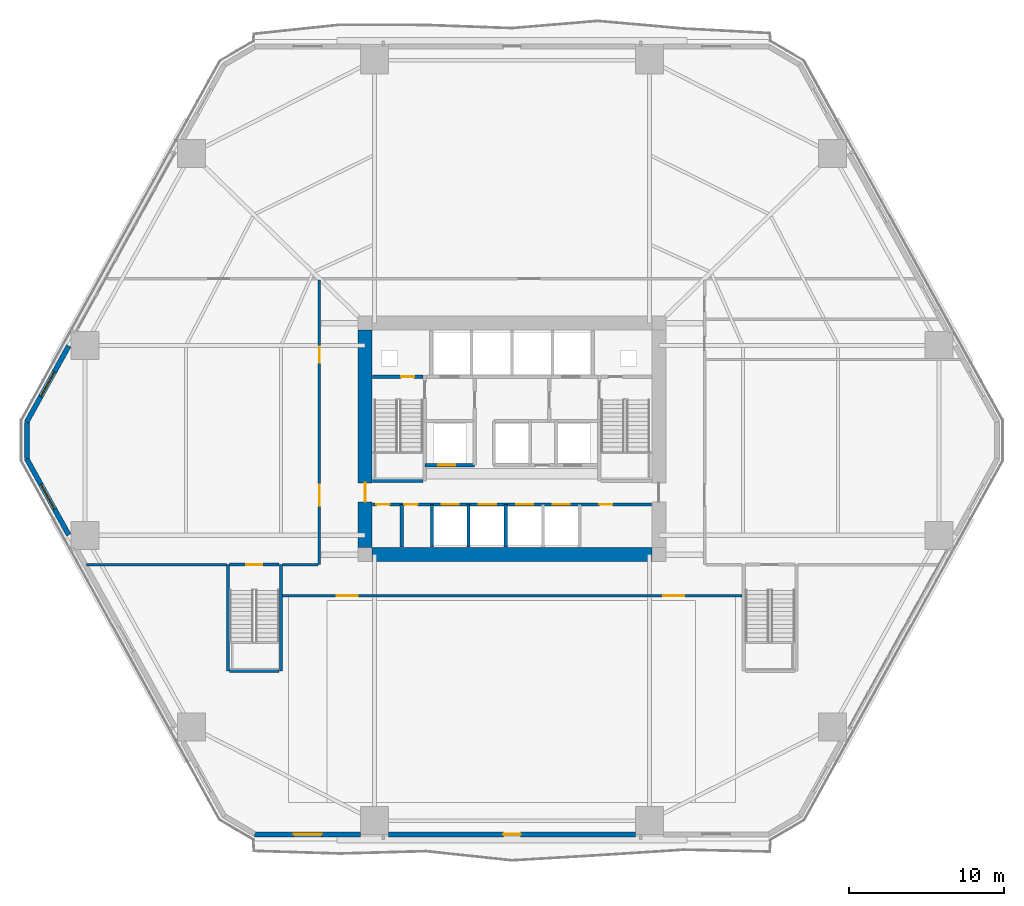
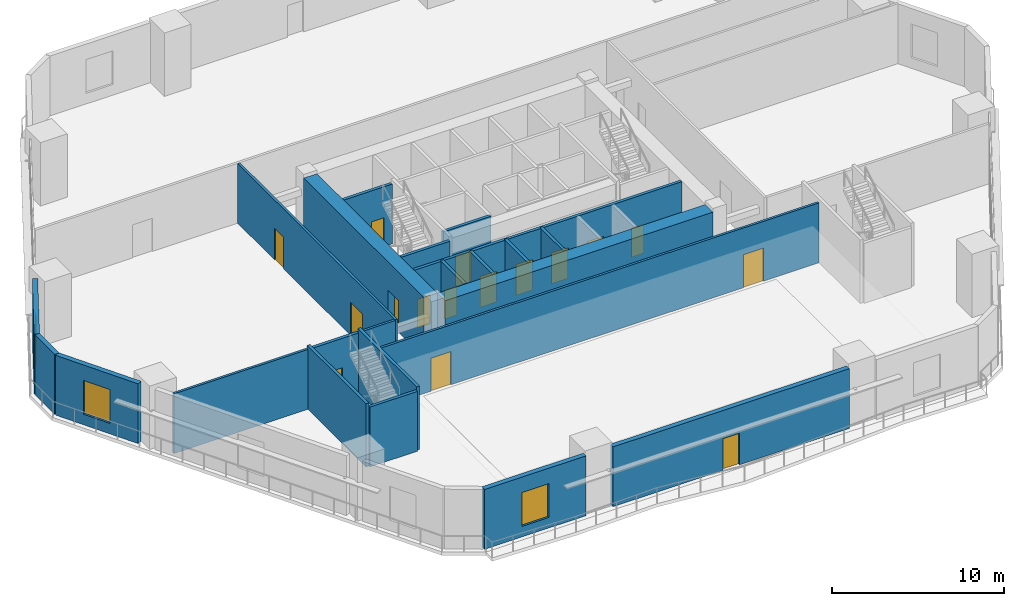
# One storey, part 9 of 21: 23 walls, 16 doors, 3 windows, 19 openings.
"""IFC4 building model written with IfcOpenShell, lengths in metres."""

from ifc_helpers import new_model, si_unit, direction, frame, frame_2d, origin, place, context, subcontext, project, spatial, rectangle, extrude, material, layer, layer_set, type_object, element, fill, save


model = new_model("IFC4")

# Units and contexts
model_context = context("Model", 3, precision=1e-05, world=origin(), true_north=direction((0.0, 1.0)))
body_context = subcontext(model_context, "Body", "Model", "MODEL_VIEW")
ifc_project = project(units=[si_unit("LENGTHUNIT", "METRE"), si_unit("AREAUNIT", "SQUARE_METRE"), si_unit("VOLUMEUNIT", "CUBIC_METRE"), si_unit("PLANEANGLEUNIT", "RADIAN"), si_unit("MASSUNIT", "GRAM", prefix="KILO")], contexts=[model_context])

# Site, building, storey
site_placement = place(None, origin())
site = spatial("IfcSite", under=ifc_project, at=site_placement, CompositionType="ELEMENT")
building_placement = place(site_placement, origin())
building = spatial("IfcBuilding", under=site, at=building_placement, Name="Cinnabar Lancet Tower", CompositionType="ELEMENT")
storey_placement = place(building_placement, frame((0.0, 0.0, 6.0)))
storey = spatial("IfcBuildingStorey", under=building, at=storey_placement, Name="L01", CompositionType="ELEMENT", Elevation=6.0)

# Wall, openings, doors
ifc_material_1 = material(Name="Acoustic twin-stud gypsum partition", Category="gypsum")
ifc_layer_1 = layer(ifc_material_1, 0.159912109375)
ifc_layer_set_1 = layer_set([ifc_layer_1], Name="Acoustic twin-stud gypsum partition")
wall_type_1 = type_object("IfcWallType", Name="ARC-WL-CORR-160", PredefinedType="PARTITIONING", material=ifc_layer_set_1)
wall_1_placement = place(storey_placement, frame((17.625, 15.800048828125, 0.0), z_axis=(0.0, 0.0, 1.0), x_axis=(1.0, 0.0, 0.0)))
wall_1 = element("IfcWall", 1, at=wall_1_placement, inside=storey, type_object=wall_type_1, Name="PW-L01-SHL", PredefinedType="PARTITIONING", context=body_context, shape_type="SweptSolid", body=[
    extrude(rectangle(XDim=29.590087890625, YDim=0.159912109375, at=frame_2d((14.794921875, 0.0))), origin(), (0.0, 0.0, 1.0), 4.25),
])
opening_1_placement = place(wall_1_placement, frame((3.5, 0.0, 0.0)))
opening_1 = element("IfcOpeningElement", 2, at=opening_1_placement, cuts=wall_1, Name="Opening UD-02", PredefinedType="OPENING", context=body_context, shape_type="SweptSolid", body=[
    extrude(rectangle(XDim=1.35009765625, YDim=2.35009765625, at=frame_2d((0.675048828125, 1.175048828125))), frame((0.0, 0.08984375, 0.0), z_axis=(0.0, -1.0, 0.0), x_axis=(1.0, 0.0, 0.0)), (0.0, 0.0, 1.0), 0.179931640625),
])
opening_2_placement = place(wall_1_placement, frame((24.5, 0.0, 0.0)))
opening_2 = element("IfcOpeningElement", 3, at=opening_2_placement, cuts=wall_1, Name="Opening UD-02", PredefinedType="OPENING", context=body_context, shape_type="SweptSolid", body=[
    extrude(rectangle(XDim=1.35009765625, YDim=2.35009765625, at=frame_2d((0.675048828125, 1.175048828125))), frame((0.0, 0.08984375, 0.0), z_axis=(0.0, -1.0, 0.0), x_axis=(1.0, 0.0, 0.0)), (0.0, 0.0, 1.0), 0.179931640625),
])
ifc_material_2 = material(Name="Double-leaf solid timber penthouse entrance door", Category="wood")
door_type_1 = type_object("IfcDoorType", Name="ARC-DR-UNIT-PH", OperationType="NOTDEFINED", PredefinedType="DOOR", material=ifc_material_2)
door_1_placement = place(opening_1_placement, origin())
door_1 = element("IfcDoor", 4, at=door_1_placement, inside=storey, type_object=door_type_1, Name="DR-L01-MAIN1", OperationType="SINGLE_SWING_LEFT", OverallHeight=2.35009765625, OverallWidth=1.35009765625, PredefinedType="DOOR", context=body_context, shape_type="SweptSolid", body=[
    extrude(rectangle(XDim=1.35009765625, YDim=2.35009765625, at=frame_2d((0.675048828125, 1.175048828125))), frame((0.0, 0.02490234375, 0.0), z_axis=(0.0, -1.0, 0.0), x_axis=(1.0, 0.0, 0.0)), (0.0, 0.0, 1.0), 0.050048828125),
])
fill(opening_1, door_1)
door_2_placement = place(opening_2_placement, origin())
door_2 = element("IfcDoor", 5, at=door_2_placement, inside=storey, type_object=door_type_1, Name="DR-L01-MAIN2", OperationType="SINGLE_SWING_RIGHT", OverallHeight=2.35009765625, OverallWidth=1.35009765625, PredefinedType="DOOR", context=body_context, shape_type="SweptSolid", body=[
    extrude(rectangle(XDim=1.35009765625, YDim=2.35009765625, at=frame_2d((0.675048828125, 1.175048828125))), frame((0.0, 0.02490234375, 0.0), z_axis=(0.0, -1.0, 0.0), x_axis=(1.0, 0.0, 0.0)), (0.0, 0.0, 1.0), 0.050048828125),
])
fill(opening_2, door_2)

# Walls
wall_2_placement = place(storey_placement, frame((17.625, 17.800048828125, 0.0), z_axis=(0.0, 0.0, 1.0), x_axis=(1.0, 0.0, 0.0)))
element("IfcWall", 6, at=wall_2_placement, inside=storey, type_object=wall_type_1, Name="PW-L01-WSTEP", PredefinedType="PARTITIONING", context=body_context, shape_type="SweptSolid", body=[
    extrude(rectangle(XDim=2.2900390625, YDim=0.159912109375, at=frame_2d((1.14501953125, 0.0))), origin(), (0.0, 0.0, 1.0), 4.25),
])
wall_3_placement = place(storey_placement, frame((5.02001953125, 17.800048828125, 0.0), z_axis=(0.0, 0.0, 1.0), x_axis=(1.0, 0.0, 0.0)))
element("IfcWall", 7, at=wall_3_placement, inside=storey, type_object=wall_type_1, Name="PW-L01-WSF", PredefinedType="PARTITIONING", context=body_context, shape_type="SweptSolid", body=[
    extrude(rectangle(XDim=8.994873046875, YDim=0.159912109375, at=frame_2d((4.49755859375, 0.0))), origin(), (0.0, 0.0, 1.0), 4.25),
])

# Wall, openings, doors
wall_4_placement = place(storey_placement, frame((20.0, 17.800048828125, 0.0), z_axis=(0.0, 0.0, 1.0), x_axis=(0.0, 1.0, 0.0)))
wall_4 = element("IfcWall", 8, at=wall_4_placement, inside=storey, type_object=wall_type_1, Name="PW-L01-WWG", PredefinedType="PARTITIONING", context=body_context, shape_type="SweptSolid", body=[
    extrude(rectangle(XDim=18.31494140625, YDim=0.159912109375, at=frame_2d((9.157470703125, 0.0))), origin(), (0.0, 0.0, 1.0), 4.25),
])
opening_3_placement = place(wall_4_placement, frame((3.800048828125, 0.0, 0.0)))
opening_3 = element("IfcOpeningElement", 9, at=opening_3_placement, cuts=wall_4, Name="Opening UD-02", PredefinedType="OPENING", context=body_context, shape_type="SweptSolid", body=[
    extrude(rectangle(XDim=1.35009765625, YDim=2.35009765625, at=frame_2d((0.675048828125, 1.175048828125))), frame((0.0, 0.08984375, 0.0), z_axis=(0.0, -1.0, 0.0), x_axis=(1.0, 0.0, 0.0)), (0.0, 0.0, 1.0), 0.179931640625),
])
opening_4_placement = place(wall_4_placement, frame((13.0, 0.0, 0.0)))
opening_4 = element("IfcOpeningElement", 10, at=opening_4_placement, cuts=wall_4, Name="Opening UD-01", PredefinedType="OPENING", context=body_context, shape_type="SweptSolid", body=[
    extrude(rectangle(XDim=1.02001953125, YDim=2.25, at=frame_2d((0.510009765625, 1.125))), frame((0.0, 0.08984375, 0.0), z_axis=(0.0, -1.0, 0.0), x_axis=(1.0, 0.0, 0.0)), (0.0, 0.0, 1.0), 0.179931640625),
])
ifc_material_3 = material(Name="Solid timber fire-rated apartment entrance door", Category="wood")
door_type_2 = type_object("IfcDoorType", Name="ARC-DR-UNIT", OperationType="NOTDEFINED", PredefinedType="DOOR", material=ifc_material_3)
door_3_placement = place(opening_4_placement, origin())
door_3 = element("IfcDoor", 11, at=door_3_placement, inside=storey, type_object=door_type_2, Name="DR-L01-WEST2", OperationType="SINGLE_SWING_RIGHT", OverallHeight=2.25, OverallWidth=1.02001953125, PredefinedType="DOOR", context=body_context, shape_type="SweptSolid", body=[
    extrude(rectangle(XDim=1.02001953125, YDim=2.25, at=frame_2d((0.510009765625, 1.125))), frame((0.0, 0.02490234375, 0.0), z_axis=(0.0, -1.0, 0.0), x_axis=(1.0, 0.0, 0.0)), (0.0, 0.0, 1.0), 0.050048828125),
])
fill(opening_4, door_3)
door_4_placement = place(opening_3_placement, origin())
door_4 = element("IfcDoor", 12, at=door_4_placement, inside=storey, type_object=door_type_1, Name="DR-L01-WEST1", OperationType="SINGLE_SWING_LEFT", OverallHeight=2.35009765625, OverallWidth=1.35009765625, PredefinedType="DOOR", context=body_context, shape_type="SweptSolid", body=[
    extrude(rectangle(XDim=1.35009765625, YDim=2.35009765625, at=frame_2d((0.675048828125, 1.175048828125))), frame((0.0, 0.02490234375, 0.0), z_axis=(0.0, -1.0, 0.0), x_axis=(1.0, 0.0, 0.0)), (0.0, 0.0, 1.0), 0.050048828125),
])
fill(opening_3, door_4)

# Wall
ifc_material_4 = material(Name="Autoclaved aerated concrete blockwork", Category="masonry")
ifc_layer_2 = layer(ifc_material_4, 0.199951171875)
ifc_layer_set_2 = layer_set([ifc_layer_2], Name="Autoclaved aerated concrete blockwork")
wall_type_2 = type_object("IfcWallType", Name="ARC-WL-SHAFT-200", PredefinedType="PLUMBINGWALL", material=ifc_layer_set_2)
wall_5_placement = place(storey_placement, frame((23.405029296875, 23.199951171875, 0.0), z_axis=(0.0, 0.0, 1.0), x_axis=(1.0, 0.0, 0.0)))
element("IfcWall", 13, at=wall_5_placement, inside=storey, type_object=wall_type_2, Name="CW-ST1S-L01", PredefinedType="PLUMBINGWALL", context=body_context, shape_type="SweptSolid", body=[
    extrude(rectangle(XDim=3.27001953125, YDim=0.199951171875, at=frame_2d((1.635009765625, 0.0))), origin(), (0.0, 0.0, 1.0), 4.25),
])

# Wall, opening, door
wall_6_placement = place(storey_placement, frame((23.405029296875, 29.89990234375, 0.0), z_axis=(0.0, 0.0, 1.0), x_axis=(1.0, 0.0, 0.0)))
wall_6 = element("IfcWall", 14, at=wall_6_placement, inside=storey, type_object=wall_type_2, Name="CW-NSH-W-L01", PredefinedType="PLUMBINGWALL", context=body_context, shape_type="SweptSolid", body=[
    extrude(rectangle(XDim=3.27001953125, YDim=0.199951171875, at=frame_2d((1.635009765625, 0.0))), origin(), (0.0, 0.0, 1.0), 4.25),
])
opening_5_placement = place(wall_6_placement, frame((1.85009765625, 0.0, 0.0)))
opening_5 = element("IfcOpeningElement", 15, at=opening_5_placement, cuts=wall_6, Name="Opening PD-02", PredefinedType="OPENING", context=body_context, shape_type="SweptSolid", body=[
    extrude(rectangle(XDim=0.85009765625, YDim=2.050048828125, at=frame_2d((0.425048828125, 1.02490234375))), frame((0.0, 0.10986328125, 0.0), z_axis=(0.0, -1.0, 0.0), x_axis=(1.0, 0.0, 0.0)), (0.0, 0.0, 1.0), 0.219970703125),
])
ifc_material_5 = material(Name="Fire-rated steel riser access door", Category="steel")
door_type_3 = type_object("IfcDoorType", Name="ARC-DR-RISER", OperationType="NOTDEFINED", PredefinedType="DOOR", material=ifc_material_5)
door_5_placement = place(opening_5_placement, origin())
door_5 = element("IfcDoor", 16, at=door_5_placement, inside=storey, type_object=door_type_3, Name="L01 West Riser Access Door", OperationType="SINGLE_SWING_LEFT", OverallHeight=2.050048828125, OverallWidth=0.85009765625, PredefinedType="DOOR", context=body_context, shape_type="SweptSolid", body=[
    extrude(rectangle(XDim=0.85009765625, YDim=2.050048828125, at=frame_2d((0.425048828125, 1.02490234375))), frame((0.0, 0.02490234375, 0.0), z_axis=(0.0, -1.0, 0.0), x_axis=(1.0, 0.0, 0.0)), (0.0, 0.0, 1.0), 0.050048828125),
])
fill(opening_5, door_5)

wall_7_placement = place(storey_placement, frame((26.800048828125, 24.199951171875, 0.0), z_axis=(0.0, 0.0, 1.0), x_axis=(1.0, 0.0, 0.0)))
wall_7 = element("IfcWall", 17, at=wall_7_placement, inside=storey, type_object=wall_type_2, Name="CW-PL5S-L01", PredefinedType="PLUMBINGWALL", context=body_context, shape_type="SweptSolid", body=[
    extrude(rectangle(XDim=3.199951171875, YDim=0.199951171875, at=frame_2d((1.60009765625, 0.0))), origin(), (0.0, 0.0, 1.0), 4.25),
])
opening_6_placement = place(wall_7_placement, frame((0.85009765625, 0.0, 0.0)))
opening_6 = element("IfcOpeningElement", 18, at=opening_6_placement, cuts=wall_7, Name="Opening LD-01", PredefinedType="OPENING", context=body_context, shape_type="SweptSolid", body=[
    extrude(rectangle(XDim=1.10009765625, YDim=2.199951171875, at=frame_2d((0.550048828125, 1.10009765625))), frame((0.0, 0.10986328125, 0.0), z_axis=(0.0, -1.0, 0.0), x_axis=(1.0, 0.0, 0.0)), (0.0, 0.0, 1.0), 0.219970703125),
])
ifc_material_6 = material(Name="Brushed stainless steel sliding lift door", Category="steel")
door_type_4 = type_object("IfcDoorType", Name="ARC-DR-LD-PASS", OperationType="NOTDEFINED", PredefinedType="DOOR", material=ifc_material_6)
door_6_placement = place(opening_6_placement, origin())
door_6 = element("IfcDoor", 19, at=door_6_placement, inside=storey, type_object=door_type_4, Name="L01 Lift PL-5 Landing Door", OperationType="DOUBLE_DOOR_SLIDING", OverallHeight=2.199951171875, OverallWidth=1.10009765625, PredefinedType="DOOR", context=body_context, shape_type="SweptSolid", body=[
    extrude(rectangle(XDim=1.10009765625, YDim=2.199951171875, at=frame_2d((0.550048828125, 1.10009765625))), frame((0.0, 0.02490234375, 0.0), z_axis=(0.0, -1.0, 0.0), x_axis=(1.0, 0.0, 0.0)), (0.0, 0.0, 1.0), 0.050048828125),
])
fill(opening_6, door_6)

# Wall, openings, doors
wall_8_placement = place(storey_placement, frame((23.419921875, 21.679931640625, 0.0), z_axis=(0.0, 0.0, 1.0), x_axis=(1.0, 0.0, 0.0)))
wall_8 = element("IfcWall", 20, at=wall_8_placement, inside=storey, type_object=wall_type_2, Name="CW-SBANDN-L01", PredefinedType="PLUMBINGWALL", context=body_context, shape_type="SweptSolid", body=[
    extrude(rectangle(XDim=17.9599609375, YDim=0.199951171875, at=frame_2d((8.97998046875, 0.0))), origin(), (0.0, 0.0, 1.0), 4.25),
])
opening_7_placement = place(wall_8_placement, frame((4.449951171875, 0.0, 0.0)))
opening_7 = element("IfcOpeningElement", 21, at=opening_7_placement, cuts=wall_8, Name="Opening LD-01", PredefinedType="OPENING", context=body_context, shape_type="SweptSolid", body=[
    extrude(rectangle(XDim=1.10009765625, YDim=2.199951171875, at=frame_2d((0.550048828125, 1.10009765625))), frame((0.0, 0.10986328125, 0.0), z_axis=(0.0, -1.0, 0.0), x_axis=(1.0, 0.0, 0.0)), (0.0, 0.0, 1.0), 0.219970703125),
])
opening_8_placement = place(wall_8_placement, frame((6.85009765625, 0.0, 0.0)))
opening_8 = element("IfcOpeningElement", 22, at=opening_8_placement, cuts=wall_8, Name="Opening LD-01", PredefinedType="OPENING", context=body_context, shape_type="SweptSolid", body=[
    extrude(rectangle(XDim=1.10009765625, YDim=2.199951171875, at=frame_2d((0.550048828125, 1.10009765625))), frame((0.0, 0.10986328125, 0.0), z_axis=(0.0, -1.0, 0.0), x_axis=(1.0, 0.0, 0.0)), (0.0, 0.0, 1.0), 0.219970703125),
])
opening_9_placement = place(wall_8_placement, frame((9.25, 0.0, 0.0)))
opening_9 = element("IfcOpeningElement", 23, at=opening_9_placement, cuts=wall_8, Name="Opening LD-01", PredefinedType="OPENING", context=body_context, shape_type="SweptSolid", body=[
    extrude(rectangle(XDim=1.10009765625, YDim=2.199951171875, at=frame_2d((0.550048828125, 1.10009765625))), frame((0.0, 0.10986328125, 0.0), z_axis=(0.0, -1.0, 0.0), x_axis=(1.0, 0.0, 0.0)), (0.0, 0.0, 1.0), 0.219970703125),
])
opening_10_placement = place(wall_8_placement, frame((11.60009765625, 0.0, 0.0)))
opening_10 = element("IfcOpeningElement", 24, at=opening_10_placement, cuts=wall_8, Name="Opening LD-01", PredefinedType="OPENING", context=body_context, shape_type="SweptSolid", body=[
    extrude(rectangle(XDim=1.10009765625, YDim=2.199951171875, at=frame_2d((0.550048828125, 1.10009765625))), frame((0.0, 0.10986328125, 0.0), z_axis=(0.0, -1.0, 0.0), x_axis=(1.0, 0.0, 0.0)), (0.0, 0.0, 1.0), 0.219970703125),
])
opening_11_placement = place(wall_8_placement, frame((0.25, 0.0, 0.0)))
opening_11 = element("IfcOpeningElement", 25, at=opening_11_placement, cuts=wall_8, Name="Opening PD-02", PredefinedType="OPENING", context=body_context, shape_type="SweptSolid", body=[
    extrude(rectangle(XDim=0.85009765625, YDim=2.050048828125, at=frame_2d((0.425048828125, 1.02490234375))), frame((0.0, 0.10986328125, 0.0), z_axis=(0.0, -1.0, 0.0), x_axis=(1.0, 0.0, 0.0)), (0.0, 0.0, 1.0), 0.219970703125),
])
opening_12_placement = place(wall_8_placement, frame((2.050048828125, 0.0, 0.0)))
opening_12 = element("IfcOpeningElement", 26, at=opening_12_placement, cuts=wall_8, Name="Opening PD-02", PredefinedType="OPENING", context=body_context, shape_type="SweptSolid", body=[
    extrude(rectangle(XDim=0.85009765625, YDim=2.050048828125, at=frame_2d((0.425048828125, 1.02490234375))), frame((0.0, 0.10986328125, 0.0), z_axis=(0.0, -1.0, 0.0), x_axis=(1.0, 0.0, 0.0)), (0.0, 0.0, 1.0), 0.219970703125),
])
opening_13_placement = place(wall_8_placement, frame((14.60009765625, 0.0, 0.0)))
opening_13 = element("IfcOpeningElement", 27, at=opening_13_placement, cuts=wall_8, Name="Opening PD-02", PredefinedType="OPENING", context=body_context, shape_type="SweptSolid", body=[
    extrude(rectangle(XDim=0.85009765625, YDim=2.050048828125, at=frame_2d((0.425048828125, 1.02490234375))), frame((0.0, 0.10986328125, 0.0), z_axis=(0.0, -1.0, 0.0), x_axis=(1.0, 0.0, 0.0)), (0.0, 0.0, 1.0), 0.219970703125),
])
door_7_placement = place(opening_7_placement, origin())
door_7 = element("IfcDoor", 28, at=door_7_placement, inside=storey, type_object=door_type_4, Name="L01 Lift PL-1 Landing Door", OperationType="DOUBLE_DOOR_SLIDING", OverallHeight=2.199951171875, OverallWidth=1.10009765625, PredefinedType="DOOR", context=body_context, shape_type="SweptSolid", body=[
    extrude(rectangle(XDim=1.10009765625, YDim=2.199951171875, at=frame_2d((0.550048828125, 1.10009765625))), frame((0.0, 0.02490234375, 0.0), z_axis=(0.0, -1.0, 0.0), x_axis=(1.0, 0.0, 0.0)), (0.0, 0.0, 1.0), 0.050048828125),
])
fill(opening_7, door_7)
door_8_placement = place(opening_8_placement, origin())
door_8 = element("IfcDoor", 29, at=door_8_placement, inside=storey, type_object=door_type_4, Name="L01 Lift PL-2 Landing Door", OperationType="DOUBLE_DOOR_SLIDING", OverallHeight=2.199951171875, OverallWidth=1.10009765625, PredefinedType="DOOR", context=body_context, shape_type="SweptSolid", body=[
    extrude(rectangle(XDim=1.10009765625, YDim=2.199951171875, at=frame_2d((0.550048828125, 1.10009765625))), frame((0.0, 0.02490234375, 0.0), z_axis=(0.0, -1.0, 0.0), x_axis=(1.0, 0.0, 0.0)), (0.0, 0.0, 1.0), 0.050048828125),
])
fill(opening_8, door_8)
door_9_placement = place(opening_9_placement, origin())
door_9 = element("IfcDoor", 30, at=door_9_placement, inside=storey, type_object=door_type_4, Name="L01 Lift PL-3 Landing Door", OperationType="DOUBLE_DOOR_SLIDING", OverallHeight=2.199951171875, OverallWidth=1.10009765625, PredefinedType="DOOR", context=body_context, shape_type="SweptSolid", body=[
    extrude(rectangle(XDim=1.10009765625, YDim=2.199951171875, at=frame_2d((0.550048828125, 1.10009765625))), frame((0.0, 0.02490234375, 0.0), z_axis=(0.0, -1.0, 0.0), x_axis=(1.0, 0.0, 0.0)), (0.0, 0.0, 1.0), 0.050048828125),
])
fill(opening_9, door_9)
door_10_placement = place(opening_10_placement, origin())
door_10 = element("IfcDoor", 31, at=door_10_placement, inside=storey, type_object=door_type_4, Name="L01 Lift PL-4 Landing Door", OperationType="DOUBLE_DOOR_SLIDING", OverallHeight=2.199951171875, OverallWidth=1.10009765625, PredefinedType="DOOR", context=body_context, shape_type="SweptSolid", body=[
    extrude(rectangle(XDim=1.10009765625, YDim=2.199951171875, at=frame_2d((0.550048828125, 1.10009765625))), frame((0.0, 0.02490234375, 0.0), z_axis=(0.0, -1.0, 0.0), x_axis=(1.0, 0.0, 0.0)), (0.0, 0.0, 1.0), 0.050048828125),
])
fill(opening_10, door_10)
door_11_placement = place(opening_11_placement, origin())
door_11 = element("IfcDoor", 32, at=door_11_placement, inside=storey, type_object=door_type_3, Name="DR-L01-SW1", OperationType="SINGLE_SWING_LEFT", OverallHeight=2.050048828125, OverallWidth=0.85009765625, PredefinedType="DOOR", context=body_context, shape_type="SweptSolid", body=[
    extrude(rectangle(XDim=0.85009765625, YDim=2.050048828125, at=frame_2d((0.425048828125, 1.02490234375))), frame((0.0, 0.02490234375, 0.0), z_axis=(0.0, -1.0, 0.0), x_axis=(1.0, 0.0, 0.0)), (0.0, 0.0, 1.0), 0.050048828125),
])
fill(opening_11, door_11)
door_12_placement = place(opening_12_placement, origin())
door_12 = element("IfcDoor", 33, at=door_12_placement, inside=storey, type_object=door_type_3, Name="DR-L01-SW2", OperationType="SINGLE_SWING_RIGHT", OverallHeight=2.050048828125, OverallWidth=0.85009765625, PredefinedType="DOOR", context=body_context, shape_type="SweptSolid", body=[
    extrude(rectangle(XDim=0.85009765625, YDim=2.050048828125, at=frame_2d((0.425048828125, 1.02490234375))), frame((0.0, 0.02490234375, 0.0), z_axis=(0.0, -1.0, 0.0), x_axis=(1.0, 0.0, 0.0)), (0.0, 0.0, 1.0), 0.050048828125),
])
fill(opening_12, door_12)
door_13_placement = place(opening_13_placement, origin())
door_13 = element("IfcDoor", 34, at=door_13_placement, inside=storey, type_object=door_type_3, Name="DR-L01-SE1", OperationType="SINGLE_SWING_LEFT", OverallHeight=2.050048828125, OverallWidth=0.85009765625, PredefinedType="DOOR", context=body_context, shape_type="SweptSolid", body=[
    extrude(rectangle(XDim=0.85009765625, YDim=2.050048828125, at=frame_2d((0.425048828125, 1.02490234375))), frame((0.0, 0.02490234375, 0.0), z_axis=(0.0, -1.0, 0.0), x_axis=(1.0, 0.0, 0.0)), (0.0, 0.0, 1.0), 0.050048828125),
])
fill(opening_13, door_13)

# Walls
for number, where, z_axis, x_axis, name in (
    (35, (27.25, 18.949951171875, 0.0), (0.0, 0.0, 1.0), (0.0, 1.0, 0.0), "CW-SB-2725-L01"),
    (36, (29.60009765625, 18.949951171875, 0.0), (0.0, 0.0, 1.0), (0.0, 1.0, 0.0), "CW-SB-2960-L01"),
    (37, (32.0, 18.949951171875, 0.0), (0.0, 0.0, 1.0), (0.0, 1.0, 0.0), "CW-SB-3200-L01"),
    (38, (25.300048828125, 18.949951171875, 0.0), (0.0, 0.0, 1.0), (0.0, 1.0, 0.0), "CW-SB-SW-L01"),
):
    element("IfcWall", number, at=place(storey_placement, frame(where, z_axis=z_axis, x_axis=x_axis)), inside=storey, type_object=wall_type_2, Name=name, PredefinedType="PLUMBINGWALL", context=body_context, shape_type="SweptSolid", body=[
        extrude(rectangle(XDim=2.72998046875, YDim=0.199951171875, at=frame_2d((1.364990234375, 0.0))), origin(), (0.0, 0.0, 1.0), 4.25),
    ])
wall_9_placement = place(storey_placement, frame((14.22509765625, 10.949951171875, 0.0), z_axis=(0.0, 0.0, 1.0), x_axis=(1.0, 0.0, 0.0)))
element("IfcWall", 39, at=wall_9_placement, inside=storey, type_object=wall_type_2, Name="PW-ST3S-L01", PredefinedType="PLUMBINGWALL", context=body_context, shape_type="SweptSolid", body=[
    extrude(rectangle(XDim=3.18994140625, YDim=0.199951171875, at=frame_2d((1.594970703125, 0.0))), origin(), (0.0, 0.0, 1.0), 4.25),
])

# Wall, opening, door
wall_10_placement = place(storey_placement, frame((14.22509765625, 17.800048828125, 0.0), z_axis=(0.0, 0.0, 1.0), x_axis=(1.0, 0.0, 0.0)))
wall_10 = element("IfcWall", 40, at=wall_10_placement, inside=storey, type_object=wall_type_2, Name="PW-ST3N-L01", PredefinedType="PLUMBINGWALL", context=body_context, shape_type="SweptSolid", body=[
    extrude(rectangle(XDim=3.18994140625, YDim=0.199951171875, at=frame_2d((1.594970703125, 0.0))), origin(), (0.0, 0.0, 1.0), 4.25),
])
opening_14_placement = place(wall_10_placement, frame((1.050048828125, 0.0, 0.0)))
opening_14 = element("IfcOpeningElement", 41, at=opening_14_placement, cuts=wall_10, Name="Opening SD-01", PredefinedType="OPENING", context=body_context, shape_type="SweptSolid", body=[
    extrude(rectangle(XDim=1.050048828125, YDim=2.14990234375, at=frame_2d((0.52490234375, 1.074951171875))), frame((0.0, 0.10986328125, 0.0), z_axis=(0.0, -1.0, 0.0), x_axis=(1.0, 0.0, 0.0)), (0.0, 0.0, 1.0), 0.219970703125),
])
ifc_material_7 = material(Name="Fire-rated steel stair exit door", Category="steel")
door_type_5 = type_object("IfcDoorType", Name="ARC-DR-STAIR", OperationType="NOTDEFINED", PredefinedType="DOOR", material=ifc_material_7)
door_14_placement = place(opening_14_placement, origin())
door_14 = element("IfcDoor", 42, at=door_14_placement, inside=storey, type_object=door_type_5, Name="L01 Podium Stair ST-3 Fire Door", OperationType="SINGLE_SWING_LEFT", OverallHeight=2.14990234375, OverallWidth=1.050048828125, PredefinedType="DOOR", context=body_context, shape_type="SweptSolid", body=[
    extrude(rectangle(XDim=1.050048828125, YDim=2.14990234375, at=frame_2d((0.52490234375, 1.074951171875))), frame((0.0, 0.02490234375, 0.0), z_axis=(0.0, -1.0, 0.0), x_axis=(1.0, 0.0, 0.0)), (0.0, 0.0, 1.0), 0.050048828125),
])
fill(opening_14, door_14)

# Wall
ifc_material_8 = material(Name="Warm buff clay brick", Category="masonry")
ifc_layer_3 = layer(ifc_material_8, 0.320068359375)
ifc_layer_set_3 = layer_set([ifc_layer_3], Name="Warm buff clay brick")
wall_type_3 = type_object("IfcWallType", Name="ENV-WL-BRK-BUF-320", PredefinedType="STANDARD", material=ifc_layer_set_3)
wall_11_placement = place(storey_placement, frame((1.1650390625, 26.9541015625, 0.0), z_axis=(0.0, 0.0, 1.0), x_axis=(0.0, -1.0, 0.0)))
element("IfcWall", 43, at=wall_11_placement, inside=storey, type_object=wall_type_3, Name="L01 Chamfered Corner Brick Pier 6.1", PredefinedType="STANDARD", context=body_context, shape_type="SweptSolid", body=[
    extrude(rectangle(XDim=2.30810546875, YDim=0.320068359375, at=frame_2d((1.154052734375, 0.0))), origin(), (0.0, 0.0, 1.0), 4.25),
])

# Wall, opening, window
wall_12_placement = place(storey_placement, frame((15.83203125, 0.43994140625, 0.0), z_axis=(0.0, 0.0, 1.0), x_axis=(1.0, 0.0, 0.0)))
wall_12 = element("IfcWall", 44, at=wall_12_placement, inside=storey, type_object=wall_type_3, Name="L01 Face 1 Masonry Bay Wall 1", PredefinedType="STANDARD", context=body_context, shape_type="SweptSolid", body=[
    extrude(rectangle(XDim=6.81884765625, YDim=0.320068359375, at=frame_2d((3.409423828125, 0.0))), origin(), (0.0, 0.0, 1.0), 4.25),
])
opening_15_placement = place(wall_12_placement, frame((2.509033203125, 0.0, 0.75)))
opening_15 = element("IfcOpeningElement", 45, at=opening_15_placement, cuts=wall_12, Name="Opening WN-05", PredefinedType="OPENING", context=body_context, shape_type="SweptSolid", body=[
    extrude(rectangle(XDim=1.800048828125, YDim=2.39990234375, at=frame_2d((0.89990234375, 1.199951171875))), frame((0.0, 0.169921875, 0.0), z_axis=(0.0, -1.0, 0.0), x_axis=(1.0, 0.0, 0.0)), (0.0, 0.0, 1.0), 0.340087890625),
])
ifc_material_9 = material(Name="Thermally broken bronze-anodized aluminium podium lancet window", Category="aluminium")
window_type = type_object("IfcWindowType", Name="ENV-WN-POD-1800", PartitioningType="SINGLE_PANEL", PredefinedType="WINDOW", material=ifc_material_9)
window_1_placement = place(opening_15_placement, origin())
window_1 = element("IfcWindow", 46, at=window_1_placement, inside=storey, type_object=window_type, Name="L01 Face 1 Gothic Lancet Window 1", OverallHeight=2.39990234375, OverallWidth=1.800048828125, PartitioningType="SINGLE_PANEL", PredefinedType="WINDOW", context=body_context, shape_type="SweptSolid", body=[
    extrude(rectangle(XDim=1.800048828125, YDim=2.39990234375, at=frame_2d((0.89990234375, 1.199951171875))), frame((0.0, 0.030029296875, 0.0), z_axis=(0.0, -1.0, 0.0), x_axis=(1.0, 0.0, 0.0)), (0.0, 0.0, 1.0), 0.06005859375),
])
fill(opening_15, window_1)

# Wall, opening, door
wall_13_placement = place(storey_placement, frame((24.458984375, 0.43994140625, 0.0), z_axis=(0.0, 0.0, 1.0), x_axis=(1.0, 0.0, 0.0)))
wall_13 = element("IfcWall", 47, at=wall_13_placement, inside=storey, type_object=wall_type_3, Name="L01 Face 1 Masonry Bay Wall 2", PredefinedType="STANDARD", context=body_context, shape_type="SweptSolid", body=[
    extrude(rectangle(XDim=15.882080078125, YDim=0.320068359375, at=frame_2d((7.94091796875, 0.0))), origin(), (0.0, 0.0, 1.0), 4.25),
])
opening_16_placement = place(wall_13_placement, frame((7.39111328125, 0.0, 0.0)))
opening_16 = element("IfcOpeningElement", 48, at=opening_16_placement, cuts=wall_13, Name="Opening TD-01", PredefinedType="OPENING", context=body_context, shape_type="SweptSolid", body=[
    extrude(rectangle(XDim=1.10009765625, YDim=2.25, at=frame_2d((0.550048828125, 1.125))), frame((0.0, 0.169921875, 0.0), z_axis=(0.0, -1.0, 0.0), x_axis=(1.0, 0.0, 0.0)), (0.0, 0.0, 1.0), 0.340087890625),
])
ifc_material_10 = material(Name="Thermally broken low-E glazed balcony terrace door", Category="wood")
door_type_6 = type_object("IfcDoorType", Name="ARC-DR-BALC", OperationType="NOTDEFINED", PredefinedType="DOOR", material=ifc_material_10)
door_15_placement = place(opening_16_placement, origin())
door_15 = element("IfcDoor", 49, at=door_15_placement, inside=storey, type_object=door_type_6, Name="L01 Face 1 Glazed Terrace Door", OperationType="SINGLE_SWING_LEFT", OverallHeight=2.25, OverallWidth=1.10009765625, PredefinedType="DOOR", context=body_context, shape_type="SweptSolid", body=[
    extrude(rectangle(XDim=1.10009765625, YDim=2.25, at=frame_2d((0.550048828125, 1.125))), frame((0.0, 0.02490234375, 0.0), z_axis=(0.0, -1.0, 0.0), x_axis=(1.0, 0.0, 0.0)), (0.0, 0.0, 1.0), 0.050048828125),
])
fill(opening_16, door_15)

# Wall, opening, window
wall_14_placement = place(storey_placement, frame((3.865966796875, 31.887939453125, 0.0), z_axis=(0.0, 0.0, 1.0), x_axis=(-0.483638013798, -0.875268114128, 0.0)))
wall_14 = element("IfcWall", 50, at=wall_14_placement, inside=storey, type_object=wall_type_3, Name="L01 Face 5 Masonry Bay Wall 3", PredefinedType="STANDARD", context=body_context, shape_type="SweptSolid", body=[
    extrude(rectangle(XDim=5.6279296875, YDim=0.320068359375, at=frame_2d((2.81396484375, 0.0))), origin(), (0.0, 0.0, 1.0), 4.25),
])
opening_17_placement = place(wall_14_placement, frame((1.9140625, 0.0, 0.75)))
opening_17 = element("IfcOpeningElement", 51, at=opening_17_placement, cuts=wall_14, Name="Opening WN-05", PredefinedType="OPENING", context=body_context, shape_type="SweptSolid", body=[
    extrude(rectangle(XDim=1.800048828125, YDim=2.39990234375, at=frame_2d((0.89990234375, 1.199951171875))), frame((0.0, 0.169921875, 0.0), z_axis=(0.0, -1.0, 0.0), x_axis=(1.0, 0.0, 0.0)), (0.0, 0.0, 1.0), 0.340087890625),
])
window_2_placement = place(opening_17_placement, origin())
window_2 = element("IfcWindow", 52, at=window_2_placement, inside=storey, type_object=window_type, Name="L01 Face 5 Gothic Lancet Window 3", OverallHeight=2.39990234375, OverallWidth=1.800048828125, PartitioningType="SINGLE_PANEL", PredefinedType="WINDOW", context=body_context, shape_type="SweptSolid", body=[
    extrude(rectangle(XDim=1.800048828125, YDim=2.39990234375, at=frame_2d((0.89990234375, 1.199951171875))), frame((0.0, 0.030029296875, 0.0), z_axis=(0.0, -1.0, 0.0), x_axis=(1.0, 0.0, 0.0)), (0.0, 0.0, 1.0), 0.06005859375),
])
fill(opening_17, window_2)

wall_15_placement = place(storey_placement, frame((1.14404296875, 24.637939453125, 0.0), z_axis=(0.0, 0.0, 1.0), x_axis=(0.483638013798, -0.875268114128, 0.0)))
wall_15 = element("IfcWall", 53, at=wall_15_placement, inside=storey, type_object=wall_type_3, Name="L01 Face 6 Masonry Bay Wall 1", PredefinedType="STANDARD", context=body_context, shape_type="SweptSolid", body=[
    extrude(rectangle(XDim=5.6279296875, YDim=0.320068359375, at=frame_2d((2.81396484375, 0.0))), origin(), (0.0, 0.0, 1.0), 4.25),
])
opening_18_placement = place(wall_15_placement, frame((1.9140625, 0.0, 0.75)))
opening_18 = element("IfcOpeningElement", 54, at=opening_18_placement, cuts=wall_15, Name="Opening WN-05", PredefinedType="OPENING", context=body_context, shape_type="SweptSolid", body=[
    extrude(rectangle(XDim=1.800048828125, YDim=2.39990234375, at=frame_2d((0.89990234375, 1.199951171875))), frame((0.0, 0.169921875, 0.0), z_axis=(0.0, -1.0, 0.0), x_axis=(1.0, 0.0, 0.0)), (0.0, 0.0, 1.0), 0.340087890625),
])
window_3_placement = place(opening_18_placement, origin())
window_3 = element("IfcWindow", 55, at=window_3_placement, inside=storey, type_object=window_type, Name="L01 Face 6 Gothic Lancet Window 1", OverallHeight=2.39990234375, OverallWidth=1.800048828125, PartitioningType="SINGLE_PANEL", PredefinedType="WINDOW", context=body_context, shape_type="SweptSolid", body=[
    extrude(rectangle(XDim=1.800048828125, YDim=2.39990234375, at=frame_2d((0.89990234375, 1.199951171875))), frame((0.0, 0.030029296875, 0.0), z_axis=(0.0, -1.0, 0.0), x_axis=(1.0, 0.0, 0.0)), (0.0, 0.0, 1.0), 0.06005859375),
])
fill(opening_18, window_3)

# Wall
ifc_material_11 = material(Name="Concrete C80/95", Category="concrete")
ifc_layer_4 = layer(ifc_material_11, 0.89990234375)
ifc_layer_set_4 = layer_set([ifc_layer_4], Name="Concrete C80/95")
wall_type_4 = type_object("IfcWallType", Name="STR-WL-CORE-900", PredefinedType="SHEAR", material=ifc_layer_set_4)
wall_16_placement = place(storey_placement, frame((23.39990234375, 18.449951171875, 0.0), z_axis=(0.0, 0.0, 1.0), x_axis=(1.0, 0.0, 0.0)))
element("IfcWall", 56, at=wall_16_placement, inside=storey, type_object=wall_type_4, Name="L01 Core Shear Wall S", PredefinedType="SHEAR", context=body_context, shape_type="SweptSolid", body=[
    extrude(rectangle(XDim=18.0, YDim=0.89990234375, at=frame_2d((9.0, 0.0))), origin(), (0.0, 0.0, 1.0), 4.25),
])

# Wall, opening, door
wall_17_placement = place(storey_placement, frame((22.949951171875, 18.89990234375, 0.0), z_axis=(0.0, 0.0, 1.0), x_axis=(0.0, 1.0, 0.0)))
wall_17 = element("IfcWall", 57, at=wall_17_placement, inside=storey, type_object=wall_type_4, Name="L01 Core Shear Wall W", PredefinedType="SHEAR", context=body_context, shape_type="SweptSolid", body=[
    extrude(rectangle(XDim=14.0, YDim=0.89990234375, at=frame_2d((7.0, 0.0))), origin(), (0.0, 0.0, 1.0), 4.25),
])
opening_19_placement = place(wall_17_placement, frame((2.93994140625, 0.0, 0.0)))
opening_19 = element("IfcOpeningElement", 58, at=opening_19_placement, cuts=wall_17, Name="Opening FD-02", PredefinedType="OPENING", context=body_context, shape_type="SweptSolid", body=[
    extrude(rectangle(XDim=1.219970703125, YDim=2.25, at=frame_2d((0.60986328125, 1.125))), frame((0.0, 0.4599609375, 0.0), z_axis=(0.0, -1.0, 0.0), x_axis=(1.0, 0.0, 0.0)), (0.0, 0.0, 1.0), 0.919921875),
])
ifc_material_12 = material(Name="Fire-rated double-vision core portal door", Category="wood")
door_type_7 = type_object("IfcDoorType", Name="ARC-DR-CPORT", OperationType="NOTDEFINED", PredefinedType="DOOR", material=ifc_material_12)
door_16_placement = place(opening_19_placement, origin())
door_16 = element("IfcDoor", 59, at=door_16_placement, inside=storey, type_object=door_type_7, Name="L01 West Core Lobby Fire Door", OperationType="SINGLE_SWING_RIGHT", OverallHeight=2.25, OverallWidth=1.219970703125, PredefinedType="DOOR", context=body_context, shape_type="SweptSolid", body=[
    extrude(rectangle(XDim=1.219970703125, YDim=2.25, at=frame_2d((0.60986328125, 1.125))), frame((0.0, 0.02490234375, 0.0), z_axis=(0.0, -1.0, 0.0), x_axis=(1.0, 0.0, 0.0)), (0.0, 0.0, 1.0), 0.050048828125),
])
fill(opening_19, door_16)

# Walls
ifc_material_13 = material(Name="Concrete C50/60", Category="concrete")
ifc_layer_5 = layer(ifc_material_13, 0.199951171875)
ifc_layer_set_5 = layer_set([ifc_layer_5], Name="Concrete C50/60")
wall_type_5 = type_object("IfcWallType", Name="STR-WL-STAIR-200", PredefinedType="SHEAR", material=ifc_layer_set_5)
for number, where, z_axis, x_axis, name in (
    (60, (14.1201171875, 10.949951171875, 0.0), (0.0, 0.0, 1.0), (0.0, 1.0, 0.0), "L01 Stair ST3 West Structural Wall"),
    (61, (17.52001953125, 10.949951171875, 0.0), (0.0, 0.0, 1.0), (0.0, 1.0, 0.0), "L01 Stair ST3 East Structural Wall"),
):
    element("IfcWall", number, at=place(storey_placement, frame(where, z_axis=z_axis, x_axis=x_axis)), inside=storey, type_object=wall_type_5, Name=name, PredefinedType="SHEAR", context=body_context, shape_type="SweptSolid", body=[
        extrude(rectangle(XDim=6.85009765625, YDim=0.199951171875, at=frame_2d((3.425048828125, 0.0))), origin(), (0.0, 0.0, 1.0), 4.5),
    ])

save(model, "model.ifc")
